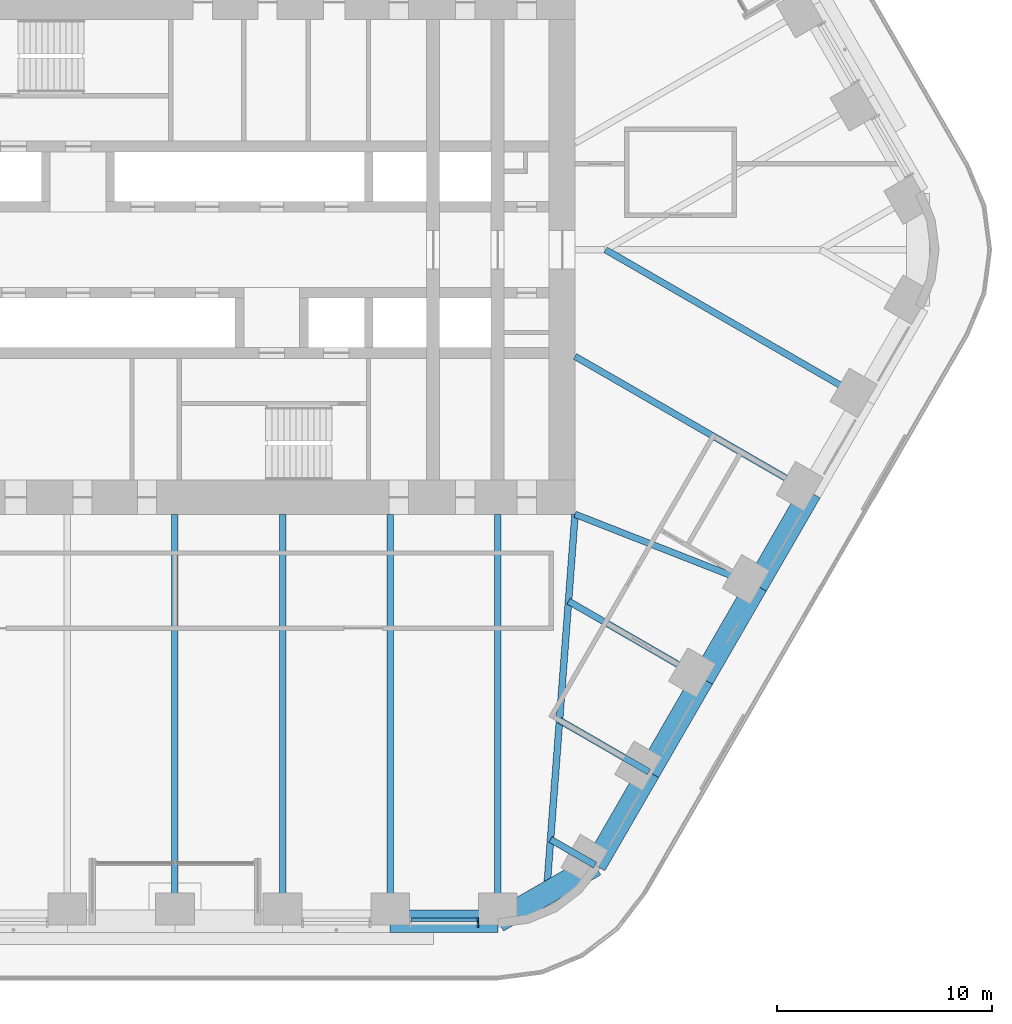
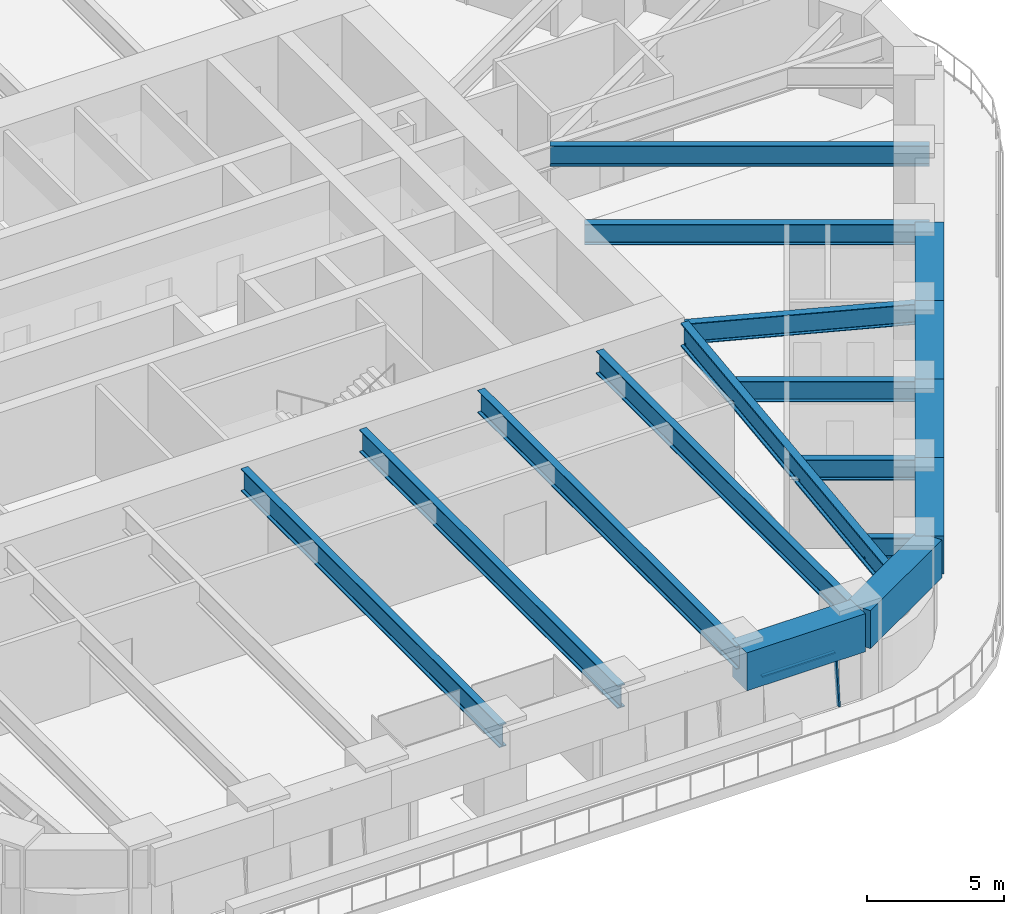
# One storey, part 5 of 24: 17 beams, 2 members, 1 element without a shape of its own.
"""IFC4 building model written with IfcOpenShell, lengths in metres."""

from ifc_helpers import new_model, si_unit, direction, frame, origin, origin_2d, place, context, subcontext, project, spatial, rectangle, i_section, extrude, material, material_profile, profile_set, type_object, element, aggregate, save


model = new_model("IFC4")

# Units and contexts
model_context = context("Model", 3, precision=1e-05, world=origin(), true_north=direction((0.0, 1.0)))
body_context = subcontext(model_context, "Body", "Model", "MODEL_VIEW")
ifc_project = project(units=[si_unit("LENGTHUNIT", "METRE"), si_unit("AREAUNIT", "SQUARE_METRE"), si_unit("VOLUMEUNIT", "CUBIC_METRE"), si_unit("PLANEANGLEUNIT", "RADIAN"), si_unit("MASSUNIT", "GRAM", prefix="KILO")], contexts=[model_context])

# Site, building, storey
site_placement = place(None, origin())
site = spatial("IfcSite", under=ifc_project, at=site_placement, CompositionType="ELEMENT")
building_placement = place(site_placement, origin())
building = spatial("IfcBuilding", under=site, at=building_placement, Name="Tarfa Lantern Tower", CompositionType="ELEMENT")
storey_placement = place(building_placement, frame((0.0, 0.0, 123.699951171875)))
storey = spatial("IfcBuildingStorey", under=building, at=storey_placement, Name="L27", CompositionType="ELEMENT", Elevation=123.699951171875)

# Curtain wall, members
ifc_material_1 = material(Name="Aluminium framed curtain wall", Category="aluminium")
curtain_wall_type = type_object("IfcCurtainWallType", Name="CW2 CANTED GLAZING MID ZONE 2300", PredefinedType="USERDEFINED", material=ifc_material_1)
curtain_wall_placement = place(storey_placement, origin())
curtain_wall = element("IfcCurtainWall", 1, at=curtain_wall_placement, inside=storey, type_object=curtain_wall_type, Name="CW2 SB L27", ObjectType="CURTAIN WALL", PredefinedType="USERDEFINED")
ifc_material_2 = material(Name="Aluminium mullion", Category="aluminium")
ifc_material_profile_1 = material_profile(ifc_material_2, rectangle(XDim=0.06494140625, YDim=0.199951171875, at=origin_2d()), Name="AL MULLION 65x200")
ifc_profile_set_1 = profile_set([ifc_material_profile_1], Name="Aluminium mullion")
member_type_1 = type_object("IfcMemberType", Name="CWM1 MULLION 65x200", PredefinedType="MULLION", material=ifc_profile_set_1)
member_1_placement = place(storey_placement, frame((14.07861328125, -31.39990234375, 0.0), z_axis=(0.0, 0.108056913548, 0.994144709504), x_axis=(-1.0, 0.0, 0.0)))
member_1 = element("IfcMember", 2, at=member_1_placement, type_object=member_type_1, Name="CW2 mullion 2", PredefinedType="MULLION", context=body_context, shape_type="SweptSolid", body=[
    extrude(rectangle(XDim=0.06494140625, YDim=0.199951171875, at=origin_2d()), origin(), (0.0, 0.0, 1.0), 2.3134765625),
])
ifc_material_3 = material(Name="Aluminium transom", Category="aluminium")
ifc_material_profile_2 = material_profile(ifc_material_3, rectangle(XDim=0.14990234375, YDim=0.06494140625, at=origin_2d()), Name="AL TRANSOM 150x65")
ifc_profile_set_2 = profile_set([ifc_material_profile_2], Name="Aluminium transom")
member_type_2 = type_object("IfcMemberType", Name="CWT1 TRANSOM 150x65", PredefinedType="USERDEFINED", material=ifc_profile_set_2)
member_2_placement = place(storey_placement, frame((10.972412109375, -31.153564453125, 2.267578125), z_axis=(1.0, 0.0, 0.0), x_axis=(0.0, 1.0, 0.0)))
member_2 = element("IfcMember", 3, at=member_2_placement, type_object=member_type_2, Name="CW2 transom 1.2", ObjectType="TRANSOM", PredefinedType="USERDEFINED", context=body_context, shape_type="SweptSolid", body=[
    extrude(rectangle(XDim=0.14990234375, YDim=0.06494140625, at=origin_2d()), origin(), (0.0, 0.0, 1.0), 3.07373046875),
])
aggregate(curtain_wall, [member_1, member_2])

# Beams
ifc_material_4 = material(Name="Concrete C80/95", Category="concrete")
ifc_material_profile_3 = material_profile(ifc_material_4, rectangle(XDim=1.050048828125, YDim=1.699951171875, at=origin_2d()), Name="RC 1050x1700")
ifc_profile_set_3 = profile_set([ifc_material_profile_3], Name="Concrete C80/95")
beam_type_1 = type_object("IfcBeamType", Name="RB2 RC 1050x1700", PredefinedType="BEAM", material=ifc_profile_set_3)
beam_1_placement = place(storey_placement, frame((10.00732421875, -31.219970703125, 3.150146484375), z_axis=(1.0, 0.0, 0.0), x_axis=(0.0, 1.0, 0.0)))
element("IfcBeam", 4, at=beam_1_placement, inside=storey, type_object=beam_type_1, Name="Edge beam S5", PredefinedType="BEAM", context=body_context, shape_type="SweptSolid", body=[
    extrude(rectangle(XDim=1.050048828125, YDim=1.699951171875, at=origin_2d()), origin(), (0.0, 0.0, 1.0), 5.003662109375),
])
beam_2_placement = place(storey_placement, frame((15.010986328125, -31.219970703125, 3.150146484375), z_axis=(0.86604150238, 0.499972115377, 0.0), x_axis=(-0.499972115377, 0.86604150238, 0.0)))
element("IfcBeam", 5, at=beam_2_placement, inside=storey, type_object=beam_type_1, Name="Edge beam S6", PredefinedType="BEAM", context=body_context, shape_type="SweptSolid", body=[
    extrude(rectangle(XDim=1.050048828125, YDim=1.699951171875, at=origin_2d()), origin(), (0.0, 0.0, 1.0), 5.219970703125),
])
beam_3_placement = place(storey_placement, frame((19.53173828125, -28.610107421875, 3.150146484375), z_axis=(0.500001197378, 0.866024712477, 0.0), x_axis=(-0.866024712477, 0.500001197378, 0.0)))
element("IfcBeam", 6, at=beam_3_placement, inside=storey, type_object=beam_type_1, Name="Edge beam SE0", PredefinedType="BEAM", context=body_context, shape_type="SweptSolid", body=[
    extrude(rectangle(XDim=1.050048828125, YDim=1.699951171875, at=origin_2d()), origin(), (0.0, 0.0, 1.0), 5.00390625),
])
for number, where, z_axis, x_axis, name in (
    (7, (22.03369140625, -24.276611328125, 3.150146484375), (0.49998573051, 0.866033642122, 0.0), (-0.866033642122, 0.49998573051, 0.0), "Edge beam SE1"),
    (8, (24.535400390625, -19.943359375, 3.150146484375), (0.500022324899, 0.866012514114, 0.0), (-0.866012514114, 0.500022324899, 0.0), "Edge beam SE2"),
    (9, (27.037353515625, -15.610107421875, 3.150146484375), (0.499964603504, 0.866045838996, 0.0), (-0.866045838996, 0.499964603504, 0.0), "Edge beam SE3"),
):
    element("IfcBeam", number, at=place(storey_placement, frame(where, z_axis=z_axis, x_axis=x_axis)), inside=storey, type_object=beam_type_1, Name=name, PredefinedType="BEAM", context=body_context, shape_type="SweptSolid", body=[
        extrude(rectangle(XDim=1.050048828125, YDim=1.699951171875, at=origin_2d()), origin(), (0.0, 0.0, 1.0), 5.003662109375),
    ])
ifc_material_5 = material(Name="Steel S460M", Category="steel")
ifc_material_profile_4 = material_profile(ifc_material_5, i_section(OverallWidth=0.302001953125, OverallDepth=1.008056640625, WebThickness=0.02099609375, FlangeThickness=0.0400390625, FilletRadius=0.030029296875, at=origin_2d()), Name="UB1016x305x349")
ifc_profile_set_4 = profile_set([ifc_material_profile_4], Name="Steel S460M")
beam_type_2 = type_object("IfcBeamType", Name="UB1016x305x349", PredefinedType="BEAM", material=ifc_profile_set_4)
for number, where, z_axis, x_axis, name in (
    (10, (0.0, -31.219970703125, 3.49609375), (0.0, 1.0, 0.0), (-1.0, 0.0, 0.0), "Floor beam S3"),
    (11, (5.003662109375, -31.219970703125, 3.49609375), (0.0, 1.0, 0.0), (-1.0, 0.0, 0.0), "Floor beam S4"),
    (12, (10.00732421875, -31.219970703125, 3.49609375), (0.0, 1.0, 0.0), (-1.0, 0.0, 0.0), "Floor beam S5"),
    (13, (15.010986328125, -31.219970703125, 3.49609375), (0.0, 1.0, 0.0), (-1.0, 0.0, 0.0), "Floor beam S6"),
):
    element("IfcBeam", number, at=place(storey_placement, frame(where, z_axis=z_axis, x_axis=x_axis)), inside=storey, type_object=beam_type_2, Name=name, PredefinedType="BEAM", context=body_context, shape_type="SweptSolid", body=[
        extrude(i_section(OverallWidth=0.302001953125, OverallDepth=1.008056640625, WebThickness=0.02099609375, FlangeThickness=0.0400390625, FilletRadius=0.030029296875, at=origin_2d()), origin(), (0.0, 0.0, 1.0), 18.919921875),
    ])
ifc_material_profile_5 = material_profile(ifc_material_5, i_section(OverallWidth=0.314208984375, OverallDepth=1.055908203125, WebThickness=0.035888671875, FlangeThickness=0.06396484375, FilletRadius=0.030029296875, at=origin_2d()), Name="UB1016x305x584")
ifc_profile_set_5 = profile_set([ifc_material_profile_5], Name="Steel S460M")
beam_type_3 = type_object("IfcBeamType", Name="UB1016x305x584", PredefinedType="BEAM", material=ifc_profile_set_5)
beam_4_placement = place(storey_placement, frame((18.60009765625, -12.300048828125, 3.47216796875), z_axis=(-0.075211516041, -0.99716760269, 0.0), x_axis=(0.99716760269, -0.075211516041, 0.0)))
element("IfcBeam", 14, at=beam_4_placement, inside=storey, type_object=beam_type_3, Name="Hip girder SE", PredefinedType="BEAM", context=body_context, shape_type="SweptSolid", body=[
    extrude(i_section(OverallWidth=0.314208984375, OverallDepth=1.055908203125, WebThickness=0.035888671875, FlangeThickness=0.06396484375, FilletRadius=0.030029296875, at=origin_2d()), origin(), (0.0, 0.0, 1.0), 17.6650390625),
])
ifc_material_profile_6 = material_profile(ifc_material_5, i_section(OverallWidth=0.305419921875, OverallDepth=0.91845703125, WebThickness=0.017333984375, FlangeThickness=0.02783203125, FilletRadius=0.01904296875, at=origin_2d()), Name="UB914x305x253")
ifc_profile_set_6 = profile_set([ifc_material_profile_6], Name="Steel S460M")
beam_type_4 = type_object("IfcBeamType", Name="UB914x305x253", PredefinedType="BEAM", material=ifc_profile_set_6)
beam_5_placement = place(storey_placement, frame((19.53173828125, -28.610107421875, 3.540771484375), z_axis=(-0.865998640954, 0.500046351717, 0.0), x_axis=(-0.500046351717, -0.865998640954, 0.0)))
element("IfcBeam", 15, at=beam_5_placement, inside=storey, type_object=beam_type_4, Name="Floor beam SE0", PredefinedType="BEAM", context=body_context, shape_type="SweptSolid", body=[
    extrude(i_section(OverallWidth=0.305419921875, OverallDepth=0.91845703125, WebThickness=0.017333984375, FlangeThickness=0.02783203125, FilletRadius=0.01904296875, at=origin_2d()), origin(), (0.0, 0.0, 1.0), 2.392333984375),
])
beam_6_placement = place(storey_placement, frame((22.03369140625, -24.276611328125, 3.540771484375), z_axis=(-0.866030550462, 0.499991085587, 0.0), x_axis=(-0.499991085587, -0.866030550462, 0.0)))
element("IfcBeam", 16, at=beam_6_placement, inside=storey, type_object=beam_type_4, Name="Floor beam SE1", PredefinedType="BEAM", context=body_context, shape_type="SweptSolid", body=[
    extrude(i_section(OverallWidth=0.305419921875, OverallDepth=0.91845703125, WebThickness=0.017333984375, FlangeThickness=0.02783203125, FilletRadius=0.01904296875, at=origin_2d()), origin(), (0.0, 0.0, 1.0), 4.798828125),
])
beam_7_placement = place(storey_placement, frame((24.535400390625, -19.943359375, 3.540771484375), z_axis=(-0.86602647304, 0.499998147991, 0.0), x_axis=(-0.499998147991, -0.86602647304, 0.0)))
element("IfcBeam", 17, at=beam_7_placement, inside=storey, type_object=beam_type_4, Name="Floor beam SE2", PredefinedType="BEAM", context=body_context, shape_type="SweptSolid", body=[
    extrude(i_section(OverallWidth=0.305419921875, OverallDepth=0.91845703125, WebThickness=0.017333984375, FlangeThickness=0.02783203125, FilletRadius=0.01904296875, at=origin_2d()), origin(), (0.0, 0.0, 1.0), 7.20556640625),
])
beam_8_placement = place(storey_placement, frame((27.037353515625, -15.610107421875, 3.540771484375), z_axis=(-0.930923282782, 0.365214788274, 0.0), x_axis=(-0.365214788274, -0.930923282782, 0.0)))
element("IfcBeam", 18, at=beam_8_placement, inside=storey, type_object=beam_type_4, Name="Floor beam SE3", PredefinedType="BEAM", context=body_context, shape_type="SweptSolid", body=[
    extrude(i_section(OverallWidth=0.305419921875, OverallDepth=0.91845703125, WebThickness=0.017333984375, FlangeThickness=0.02783203125, FilletRadius=0.01904296875, at=origin_2d()), origin(), (0.0, 0.0, 1.0), 9.063232421875),
])
beam_9_placement = place(storey_placement, frame((29.5390625, -11.276611328125, 3.540771484375), z_axis=(-0.866023362995, 0.500003534735, 0.0), x_axis=(-0.500003534735, -0.866023362995, 0.0)))
element("IfcBeam", 19, at=beam_9_placement, inside=storey, type_object=beam_type_4, Name="Floor beam SE4", PredefinedType="BEAM", context=body_context, shape_type="SweptSolid", body=[
    extrude(i_section(OverallWidth=0.305419921875, OverallDepth=0.91845703125, WebThickness=0.017333984375, FlangeThickness=0.02783203125, FilletRadius=0.01904296875, at=origin_2d()), origin(), (0.0, 0.0, 1.0), 12.63134765625),
])
beam_10_placement = place(storey_placement, frame((32.041015625, -6.943359375, 3.540771484375), z_axis=(-0.866023096411, 0.500003996466, 0.0), x_axis=(-0.500003996466, -0.866023096411, 0.0)))
element("IfcBeam", 20, at=beam_10_placement, inside=storey, type_object=beam_type_4, Name="Floor beam SE5", PredefinedType="BEAM", context=body_context, shape_type="SweptSolid", body=[
    extrude(i_section(OverallWidth=0.305419921875, OverallDepth=0.91845703125, WebThickness=0.017333984375, FlangeThickness=0.02783203125, FilletRadius=0.01904296875, at=origin_2d()), origin(), (0.0, 0.0, 1.0), 13.88671875),
])

save(model, "model.ifc")
